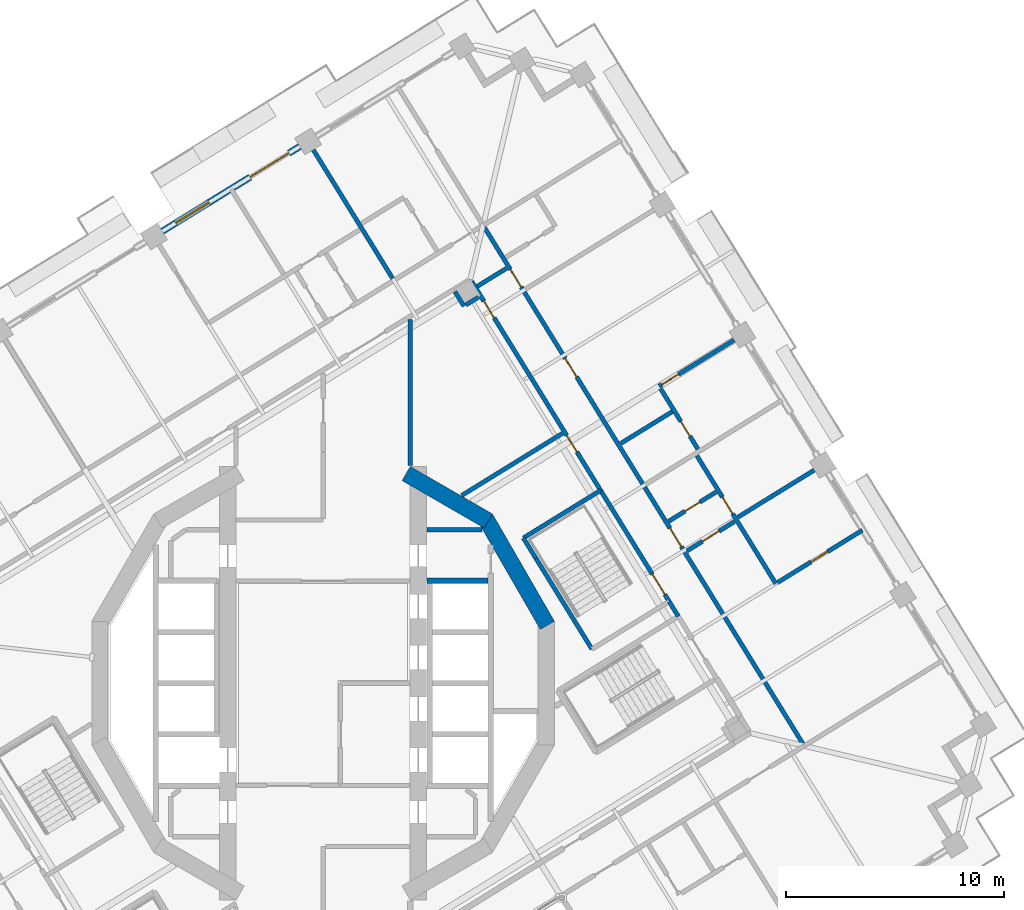
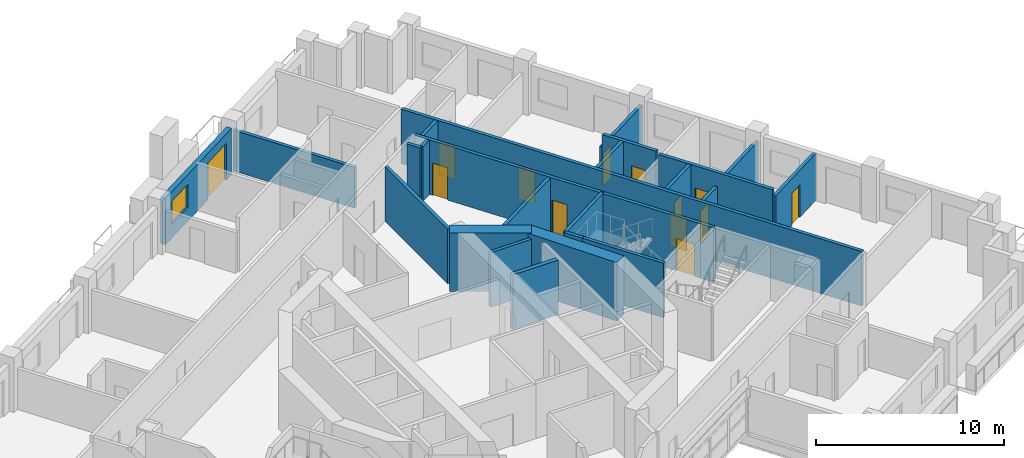
# One storey, part 13 of 22: 26 walls, 13 doors, 1 window, 14 openings.
"""IFC4 building model written with IfcOpenShell, lengths in metres."""

from ifc_helpers import new_model, si_unit, direction, frame, frame_2d, origin, place, context, subcontext, project, spatial, rectangle, extrude, material, layer, layer_set, type_object, element, fill, save


model = new_model("IFC4")

# Units and contexts
model_context = context("Model", 3, precision=1e-05, world=origin(), true_north=direction((0.0, 1.0)))
body_context = subcontext(model_context, "Body", "Model", "MODEL_VIEW")
ifc_project = project(units=[si_unit("LENGTHUNIT", "METRE"), si_unit("AREAUNIT", "SQUARE_METRE"), si_unit("VOLUMEUNIT", "CUBIC_METRE"), si_unit("PLANEANGLEUNIT", "RADIAN"), si_unit("MASSUNIT", "GRAM", prefix="KILO")], contexts=[model_context])

# Site, building, storey
site_placement = place(None, origin())
site = spatial("IfcSite", under=ifc_project, at=site_placement, CompositionType="ELEMENT")
building_placement = place(site_placement, origin())
building = spatial("IfcBuilding", under=site, at=building_placement, Name="Cantera Rosa Tower", CompositionType="ELEMENT")
storey_placement = place(building_placement, frame((0.0, 0.0, 174.199951171875)))
storey = spatial("IfcBuildingStorey", under=building, at=storey_placement, Name="L38", CompositionType="ELEMENT", Elevation=174.199951171875)

# Walls
ifc_material_1 = material(Name="Gypsum board partition")
ifc_layer_1 = layer(ifc_material_1, 0.199951171875)
ifc_layer_set_1 = layer_set([ifc_layer_1], Name="CORRIDOR WALL 200 H3550")
wall_type_1 = type_object("IfcWallType", Name="CORRIDOR WALL 200 H3550", PredefinedType="PARTITIONING", material=ifc_layer_set_1)
wall_1_placement = place(storey_placement, frame((4.0, 9.994140625, 0.0), z_axis=(0.0, 0.0, 1.0), x_axis=(0.0, 1.0, 0.0)))
element("IfcWall", 1, at=wall_1_placement, inside=storey, type_object=wall_type_1, Name="CORRIDOR WALL L38-078", PredefinedType="PARTITIONING", context=body_context, shape_type="SweptSolid", body=[
    extrude(rectangle(XDim=6.7060546875, YDim=0.199951171875, at=frame_2d((3.35302734375, 0.0))), origin(), (0.0, 0.0, 1.0), 3.550048828125),
])
wall_2_placement = place(storey_placement, frame((7.08154296875, 18.234619140625, 0.0), z_axis=(0.0, 0.0, 1.0), x_axis=(0.8511858258, 0.524864449127, 0.0)))
element("IfcWall", 2, at=wall_2_placement, inside=storey, type_object=wall_type_1, Name="CORRIDOR WALL L38-089", PredefinedType="PARTITIONING", context=body_context, shape_type="SweptSolid", body=[
    extrude(rectangle(XDim=1.580078125, YDim=0.199951171875, at=frame_2d((0.7900390625, 0.0))), origin(), (0.0, 0.0, 1.0), 3.550048828125),
])

# Wall, openings, doors
wall_3_placement = place(storey_placement, frame((12.74560546875, 8.861328125, 0.0), z_axis=(0.0, 0.0, 1.0), x_axis=(-0.524983574612, 0.851112358263, 0.0)))
wall_3 = element("IfcWall", 3, at=wall_3_placement, inside=storey, type_object=wall_type_1, Name="CORRIDOR WALL L38-107", PredefinedType="PARTITIONING", context=body_context, shape_type="SweptSolid", body=[
    extrude(rectangle(XDim=11.279296875, YDim=0.199951171875, at=frame_2d((5.6396484375, 0.0))), origin(), (0.0, 0.0, 1.0), 3.550048828125),
])
opening_1_placement = place(wall_3_placement, frame((9.314208984375, 0.0, 0.0)))
opening_1 = element("IfcOpeningElement", 4, at=opening_1_placement, cuts=wall_3, Name="Opening L38-005", PredefinedType="OPENING", context=body_context, shape_type="SweptSolid", body=[
    extrude(rectangle(XDim=0.89990234375, YDim=2.10009765625, at=frame_2d((0.449951171875, 1.050048828125))), frame((0.0, 0.10986328125, 0.0), z_axis=(0.0, -1.0, 0.0), x_axis=(1.0, 0.0, 0.0)), (0.0, 0.0, 1.0), 0.219970703125),
])
opening_2_placement = place(wall_3_placement, frame((2.0693359375, 0.0, 0.0)))
opening_2 = element("IfcOpeningElement", 5, at=opening_2_placement, cuts=wall_3, Name="Opening L38-010", PredefinedType="OPENING", context=body_context, shape_type="SweptSolid", body=[
    extrude(rectangle(XDim=0.89990234375, YDim=2.10009765625, at=frame_2d((0.449951171875, 1.050048828125))), frame((0.0, 0.10986328125, 0.0), z_axis=(0.0, -1.0, 0.0), x_axis=(1.0, 0.0, 0.0)), (0.0, 0.0, 1.0), 0.219970703125),
])
ifc_material_2 = material(Name="Timber door leaf", Category="wood")
door_type_1 = type_object("IfcDoorType", Name="SERVICE DOOR 900x2100", OperationType="NOTDEFINED", PredefinedType="DOOR", material=ifc_material_2)
door_1_placement = place(opening_1_placement, origin())
door_1 = element("IfcDoor", 6, at=door_1_placement, inside=storey, type_object=door_type_1, Name="DOOR L38-005", OperationType="NOTDEFINED", OverallHeight=2.10009765625, OverallWidth=0.89990234375, PredefinedType="DOOR", context=body_context, shape_type="SweptSolid", body=[
    extrude(rectangle(XDim=0.89990234375, YDim=2.10009765625, at=frame_2d((0.449951171875, 1.050048828125))), frame((0.0, 0.02490234375, 0.0), z_axis=(0.0, -1.0, 0.0), x_axis=(1.0, 0.0, 0.0)), (0.0, 0.0, 1.0), 0.050048828125),
])
fill(opening_1, door_1)
door_2_placement = place(opening_2_placement, origin())
door_2 = element("IfcDoor", 7, at=door_2_placement, inside=storey, type_object=door_type_1, Name="DOOR L38-010", OperationType="NOTDEFINED", OverallHeight=2.10009765625, OverallWidth=0.89990234375, PredefinedType="DOOR", context=body_context, shape_type="SweptSolid", body=[
    extrude(rectangle(XDim=0.89990234375, YDim=2.10009765625, at=frame_2d((0.449951171875, 1.050048828125))), frame((0.0, 0.02490234375, 0.0), z_axis=(0.0, -1.0, 0.0), x_axis=(1.0, 0.0, 0.0)), (0.0, 0.0, 1.0), 0.050048828125),
])
fill(opening_2, door_2)

# Wall
wall_4_placement = place(storey_placement, frame((16.31591796875, 3.072998046875, 0.0), z_axis=(0.0, 0.0, 1.0), x_axis=(-0.524947597637, 0.85113454855, 0.0)))
element("IfcWall", 8, at=wall_4_placement, inside=storey, type_object=wall_type_1, Name="CORRIDOR WALL L38-115", PredefinedType="PARTITIONING", context=body_context, shape_type="SweptSolid", body=[
    extrude(rectangle(XDim=0.80078125, YDim=0.199951171875, at=frame_2d((0.400390625, 0.0))), origin(), (0.0, 0.0, 1.0), 3.550048828125),
])

# Wall, openings, doors
wall_5_placement = place(storey_placement, frame((22.037109375, -2.77392578125, 0.0), z_axis=(0.0, 0.0, 1.0), x_axis=(-0.524972822247, 0.851118990448, 0.0)))
wall_5 = element("IfcWall", 9, at=wall_5_placement, inside=storey, type_object=wall_type_1, Name="CORRIDOR WALL L38-130", PredefinedType="PARTITIONING", context=body_context, shape_type="SweptSolid", body=[
    extrude(rectangle(XDim=27.85986328125, YDim=0.199951171875, at=frame_2d((13.929931640625, 0.0))), origin(), (0.0, 0.0, 1.0), 3.550048828125),
])
opening_3_placement = place(wall_5_placement, frame((10.6298828125, 0.0, 0.0)))
opening_3 = element("IfcOpeningElement", 10, at=opening_3_placement, cuts=wall_5, Name="Opening L38-022", PredefinedType="OPENING", context=body_context, shape_type="SweptSolid", body=[
    extrude(rectangle(XDim=1.0, YDim=2.10009765625, at=frame_2d((0.5, 1.050048828125))), frame((0.0, 0.10986328125, 0.0), z_axis=(0.0, -1.0, 0.0), x_axis=(1.0, 0.0, 0.0)), (0.0, 0.0, 1.0), 0.219970703125),
])
opening_4_placement = place(wall_5_placement, frame((19.794921875, 0.0, 0.0)))
opening_4 = element("IfcOpeningElement", 11, at=opening_4_placement, cuts=wall_5, Name="Opening L38-027", PredefinedType="OPENING", context=body_context, shape_type="SweptSolid", body=[
    extrude(rectangle(XDim=1.0, YDim=2.10009765625, at=frame_2d((0.5, 1.050048828125))), frame((0.0, 0.10986328125, 0.0), z_axis=(0.0, -1.0, 0.0), x_axis=(1.0, 0.0, 0.0)), (0.0, 0.0, 1.0), 0.219970703125),
])
opening_5_placement = place(wall_5_placement, frame((24.652099609375, 0.0, 0.0)))
opening_5 = element("IfcOpeningElement", 12, at=opening_5_placement, cuts=wall_5, Name="Opening L38-030", PredefinedType="OPENING", context=body_context, shape_type="SweptSolid", body=[
    extrude(rectangle(XDim=0.949951171875, YDim=2.10009765625, at=frame_2d((0.47509765625, 1.050048828125))), frame((0.0, 0.10986328125, 0.0), z_axis=(0.0, -1.0, 0.0), x_axis=(1.0, 0.0, 0.0)), (0.0, 0.0, 1.0), 0.219970703125),
])
ifc_material_3 = material(Name="Timber door leaf", Category="wood")
door_type_2 = type_object("IfcDoorType", Name="ENTRANCE DOOR 1000x2100", OperationType="NOTDEFINED", PredefinedType="DOOR", material=ifc_material_3)
door_3_placement = place(opening_3_placement, origin())
door_3 = element("IfcDoor", 13, at=door_3_placement, inside=storey, type_object=door_type_2, Name="DOOR L38-022", OperationType="NOTDEFINED", OverallHeight=2.10009765625, OverallWidth=1.0, PredefinedType="DOOR", context=body_context, shape_type="SweptSolid", body=[
    extrude(rectangle(XDim=1.0, YDim=2.10009765625, at=frame_2d((0.5, 1.050048828125))), frame((0.0, 0.02490234375, 0.0), z_axis=(0.0, -1.0, 0.0), x_axis=(1.0, 0.0, 0.0)), (0.0, 0.0, 1.0), 0.050048828125),
])
fill(opening_3, door_3)
door_4_placement = place(opening_4_placement, origin())
door_4 = element("IfcDoor", 14, at=door_4_placement, inside=storey, type_object=door_type_2, Name="DOOR L38-027", OperationType="NOTDEFINED", OverallHeight=2.10009765625, OverallWidth=1.0, PredefinedType="DOOR", context=body_context, shape_type="SweptSolid", body=[
    extrude(rectangle(XDim=1.0, YDim=2.10009765625, at=frame_2d((0.5, 1.050048828125))), frame((0.0, 0.02490234375, 0.0), z_axis=(0.0, -1.0, 0.0), x_axis=(1.0, 0.0, 0.0)), (0.0, 0.0, 1.0), 0.050048828125),
])
fill(opening_4, door_4)
ifc_material_4 = material(Name="Timber door leaf", Category="wood")
door_type_3 = type_object("IfcDoorType", Name="ROOM DOOR 950x2100", OperationType="NOTDEFINED", PredefinedType="DOOR", material=ifc_material_4)
door_5_placement = place(opening_5_placement, origin())
door_5 = element("IfcDoor", 15, at=door_5_placement, inside=storey, type_object=door_type_3, Name="DOOR L38-030", OperationType="NOTDEFINED", OverallHeight=2.10009765625, OverallWidth=0.949951171875, PredefinedType="DOOR", context=body_context, shape_type="SweptSolid", body=[
    extrude(rectangle(XDim=0.949951171875, YDim=2.10009765625, at=frame_2d((0.47509765625, 1.050048828125))), frame((0.0, 0.02490234375, 0.0), z_axis=(0.0, -1.0, 0.0), x_axis=(1.0, 0.0, 0.0)), (0.0, 0.0, 1.0), 0.050048828125),
])
fill(opening_5, door_5)

# Wall, openings, window, door
ifc_material_5 = material(Name="Hollow clay masonry with cantera stone cladding", Category="masonry")
ifc_layer_2 = layer(ifc_material_5, 0.300048828125)
ifc_layer_set_2 = layer_set([ifc_layer_2], Name="EW-LOGGIA 300 H3020")
wall_type_2 = type_object("IfcWallType", Name="EW-LOGGIA 300 H3020", PredefinedType="SOLIDWALL", material=ifc_layer_set_2)
wall_6_placement = place(storey_placement, frame((-1.07421875, 24.656982421875, 0.0), z_axis=(0.0, 0.0, 1.0), x_axis=(-0.85112578684, -0.524961803349, 0.0)))
wall_6 = element("IfcWall", 16, at=wall_6_placement, inside=storey, type_object=wall_type_2, Name="EN-L38-W09", PredefinedType="SOLIDWALL", context=body_context, shape_type="SweptSolid", body=[
    extrude(rectangle(XDim=7.420166015625, YDim=0.300048828125, at=frame_2d((3.7099609375, 0.0))), origin(), (0.0, 0.0, 1.0), 3.02001953125),
])
opening_6_placement = place(wall_6_placement, frame((0.580078125, 0.0, 0.0)))
opening_6 = element("IfcOpeningElement", 17, at=opening_6_placement, cuts=wall_6, Name="Opening L38-TD13", PredefinedType="OPENING", context=body_context, shape_type="SweptSolid", body=[
    extrude(rectangle(XDim=2.10009765625, YDim=2.39990234375, at=frame_2d((1.050048828125, 1.199951171875))), frame((0.0, 0.159912109375, 0.0), z_axis=(0.0, -1.0, 0.0), x_axis=(1.0, 0.0, 0.0)), (0.0, 0.0, 1.0), 0.320068359375),
])
opening_7_placement = place(wall_6_placement, frame((4.889892578125, 0.0, 0.89990234375)))
opening_7 = element("IfcOpeningElement", 18, at=opening_7_placement, cuts=wall_6, Name="Opening L38-W14", PredefinedType="OPENING", context=body_context, shape_type="SweptSolid", body=[
    extrude(rectangle(XDim=1.800048828125, YDim=1.5, at=frame_2d((0.89990234375, 0.75))), frame((0.0, 0.159912109375, 0.0), z_axis=(0.0, -1.0, 0.0), x_axis=(1.0, 0.0, 0.0)), (0.0, 0.0, 1.0), 0.320068359375),
])
ifc_material_6 = material(Name="Aluminium frame with clear glass", Category="aluminium")
window_type = type_object("IfcWindowType", Name="Hotel room window 1800x1500", PartitioningType="DOUBLE_PANEL_VERTICAL", PredefinedType="WINDOW", material=ifc_material_6)
window_placement = place(opening_7_placement, origin())
window = element("IfcWindow", 19, at=window_placement, inside=storey, type_object=window_type, Name="WINDOW L38-W14", OverallHeight=1.5, OverallWidth=1.800048828125, PartitioningType="SINGLE_PANEL", PredefinedType="WINDOW", context=body_context, shape_type="SweptSolid", body=[
    extrude(rectangle(XDim=1.800048828125, YDim=1.5, at=frame_2d((0.89990234375, 0.75))), frame((0.0, 0.030029296875, 0.0), z_axis=(0.0, -1.0, 0.0), x_axis=(1.0, 0.0, 0.0)), (0.0, 0.0, 1.0), 0.06005859375),
])
fill(opening_7, window)
ifc_material_7 = material(Name="Aluminium frame with clear glass", Category="aluminium")
door_type_4 = type_object("IfcDoorType", Name="TD-H 2100x2400", OperationType="NOTDEFINED", PredefinedType="DOOR", material=ifc_material_7)
door_6_placement = place(opening_6_placement, origin())
door_6 = element("IfcDoor", 20, at=door_6_placement, inside=storey, type_object=door_type_4, Name="LOGGIA DOOR L38-TD13", OperationType="SLIDING_TO_LEFT", OverallHeight=2.39990234375, OverallWidth=2.10009765625, PredefinedType="DOOR", context=body_context, shape_type="SweptSolid", body=[
    extrude(rectangle(XDim=2.10009765625, YDim=2.39990234375, at=frame_2d((1.050048828125, 1.199951171875))), frame((0.0, 0.02490234375, 0.0), z_axis=(0.0, -1.0, 0.0), x_axis=(1.0, 0.0, 0.0)), (0.0, 0.0, 1.0), 0.050048828125),
])
fill(opening_6, door_6)

# Wall, opening, door
ifc_material_8 = material(Name="Gypsum board partition")
ifc_layer_3 = layer(ifc_material_8, 0.199951171875)
ifc_layer_set_3 = layer_set([ifc_layer_3], Name="PARTITION 200 H2650")
wall_type_3 = type_object("IfcWallType", Name="PARTITION 200 H2650", PredefinedType="PARTITIONING", material=ifc_layer_set_3)
wall_7_placement = place(storey_placement, frame((15.43505859375, 13.644287109375, 0.0), z_axis=(0.0, 0.0, 1.0), x_axis=(0.85108586201, 0.525026528364, 0.0)))
wall_7 = element("IfcWall", 21, at=wall_7_placement, inside=storey, type_object=wall_type_3, Name="PARTITION L38-112", PredefinedType="PARTITIONING", context=body_context, shape_type="SweptSolid", body=[
    extrude(rectangle(XDim=4.47021484375, YDim=0.199951171875, at=frame_2d((2.235107421875, 0.0))), origin(), (0.0, 0.0, 1.0), 2.650146484375),
])
opening_8_placement = place(wall_7_placement, frame((0.14990234375, 0.0, 0.0)))
opening_8 = element("IfcOpeningElement", 22, at=opening_8_placement, cuts=wall_7, Name="Opening L38-028", PredefinedType="OPENING", context=body_context, shape_type="SweptSolid", body=[
    extrude(rectangle(XDim=0.89990234375, YDim=2.10009765625, at=frame_2d((0.449951171875, 1.050048828125))), frame((0.0, 0.10986328125, 0.0), z_axis=(0.0, -1.0, 0.0), x_axis=(1.0, 0.0, 0.0)), (0.0, 0.0, 1.0), 0.219970703125),
])
ifc_material_9 = material(Name="Timber door leaf", Category="wood")
door_type_5 = type_object("IfcDoorType", Name="ROOM DOOR 900x2100", OperationType="NOTDEFINED", PredefinedType="DOOR", material=ifc_material_9)
door_7_placement = place(opening_8_placement, origin())
door_7 = element("IfcDoor", 23, at=door_7_placement, inside=storey, type_object=door_type_5, Name="DOOR L38-028", OperationType="NOTDEFINED", OverallHeight=2.10009765625, OverallWidth=0.89990234375, PredefinedType="DOOR", context=body_context, shape_type="SweptSolid", body=[
    extrude(rectangle(XDim=0.89990234375, YDim=2.10009765625, at=frame_2d((0.449951171875, 1.050048828125))), frame((0.0, 0.02490234375, 0.0), z_axis=(0.0, -1.0, 0.0), x_axis=(1.0, 0.0, 0.0)), (0.0, 0.0, 1.0), 0.050048828125),
])
fill(opening_8, door_7)

wall_8_placement = place(storey_placement, frame((18.895263671875, 7.425048828125, 0.0), z_axis=(0.0, 0.0, 1.0), x_axis=(-0.851117608509, -0.524975062727, 0.0)))
wall_8 = element("IfcWall", 24, at=wall_8_placement, inside=storey, type_object=wall_type_3, Name="PARTITION L38-125", PredefinedType="PARTITIONING", context=body_context, shape_type="SweptSolid", body=[
    extrude(rectangle(XDim=2.56005859375, YDim=0.199951171875, at=frame_2d((1.280029296875, 0.0))), origin(), (0.0, 0.0, 1.0), 2.650146484375),
])
opening_9_placement = place(wall_8_placement, frame((0.830078125, 0.0, 0.0)))
opening_9 = element("IfcOpeningElement", 25, at=opening_9_placement, cuts=wall_8, Name="Opening L38-024", PredefinedType="OPENING", context=body_context, shape_type="SweptSolid", body=[
    extrude(rectangle(XDim=0.89990234375, YDim=2.10009765625, at=frame_2d((0.449951171875, 1.050048828125))), frame((0.0, 0.10986328125, 0.0), z_axis=(0.0, -1.0, 0.0), x_axis=(1.0, 0.0, 0.0)), (0.0, 0.0, 1.0), 0.219970703125),
])
door_8_placement = place(opening_9_placement, origin())
door_8 = element("IfcDoor", 26, at=door_8_placement, inside=storey, type_object=door_type_5, Name="DOOR L38-024", OperationType="NOTDEFINED", OverallHeight=2.10009765625, OverallWidth=0.89990234375, PredefinedType="DOOR", context=body_context, shape_type="SweptSolid", body=[
    extrude(rectangle(XDim=0.89990234375, YDim=2.10009765625, at=frame_2d((0.449951171875, 1.050048828125))), frame((0.0, 0.02490234375, 0.0), z_axis=(0.0, -1.0, 0.0), x_axis=(1.0, 0.0, 0.0)), (0.0, 0.0, 1.0), 0.050048828125),
])
fill(opening_9, door_8)

# Wall
wall_9_placement = place(storey_placement, frame((22.9248046875, 10.016357421875, 0.0), z_axis=(0.0, 0.0, 1.0), x_axis=(-0.851112531426, -0.524983293877, 0.0)))
element("IfcWall", 27, at=wall_9_placement, inside=storey, type_object=wall_type_3, Name="PARTITION L38-131", PredefinedType="PARTITIONING", context=body_context, shape_type="SweptSolid", body=[
    extrude(rectangle(XDim=4.550048828125, YDim=0.199951171875, at=frame_2d((2.27490234375, 0.0))), origin(), (0.0, 0.0, 1.0), 2.650146484375),
])

# Wall, opening, door
ifc_material_10 = material(Name="Gypsum board partition")
ifc_layer_4 = layer(ifc_material_10, 0.199951171875)
ifc_layer_set_4 = layer_set([ifc_layer_4], Name="PARTITION 200 H3050")
wall_type_4 = type_object("IfcWallType", Name="PARTITION 200 H3050", PredefinedType="PARTITIONING", material=ifc_layer_set_4)
wall_10_placement = place(storey_placement, frame((24.767578125, 7.02880859375, 0.0), z_axis=(0.0, 0.0, 1.0), x_axis=(-0.851116766048, -0.524976428568, 0.0)))
wall_10 = element("IfcWall", 28, at=wall_10_placement, inside=storey, type_object=wall_type_4, Name="PARTITION L38-132", PredefinedType="PARTITIONING", context=body_context, shape_type="SweptSolid", body=[
    extrude(rectangle(XDim=4.570068359375, YDim=0.199951171875, at=frame_2d((2.28515625, 0.0))), origin(), (0.0, 0.0, 1.0), 3.050048828125),
])
opening_10_placement = place(wall_10_placement, frame((1.8701171875, 0.0, 0.0)))
opening_10 = element("IfcOpeningElement", 29, at=opening_10_placement, cuts=wall_10, Name="Opening L38-026", PredefinedType="OPENING", context=body_context, shape_type="SweptSolid", body=[
    extrude(rectangle(XDim=0.89990234375, YDim=2.10009765625, at=frame_2d((0.449951171875, 1.050048828125))), frame((0.0, 0.10986328125, 0.0), z_axis=(0.0, -1.0, 0.0), x_axis=(1.0, 0.0, 0.0)), (0.0, 0.0, 1.0), 0.219970703125),
])
door_9_placement = place(opening_10_placement, origin())
door_9 = element("IfcDoor", 30, at=door_9_placement, inside=storey, type_object=door_type_5, Name="DOOR L38-026", OperationType="NOTDEFINED", OverallHeight=2.10009765625, OverallWidth=0.89990234375, PredefinedType="DOOR", context=body_context, shape_type="SweptSolid", body=[
    extrude(rectangle(XDim=0.89990234375, YDim=2.10009765625, at=frame_2d((0.449951171875, 1.050048828125))), frame((0.0, 0.02490234375, 0.0), z_axis=(0.0, -1.0, 0.0), x_axis=(1.0, 0.0, 0.0)), (0.0, 0.0, 1.0), 0.050048828125),
])
fill(opening_10, door_9)

# Walls
ifc_material_11 = material(Name="Gypsum board partition")
ifc_layer_5 = layer(ifc_material_11, 0.199951171875)
ifc_layer_set_5 = layer_set([ifc_layer_5], Name="PARTITION 200 H3550")
wall_type_5 = type_object("IfcWallType", Name="PARTITION 200 H3550", PredefinedType="PARTITIONING", material=ifc_layer_set_5)
wall_11_placement = place(storey_placement, frame((4.780029296875, 7.050048828125, 0.0), z_axis=(0.0, 0.0, 1.0), x_axis=(1.0, 0.0, 0.0)))
element("IfcWall", 31, at=wall_11_placement, inside=storey, type_object=wall_type_5, Name="PARTITION L38-081", PredefinedType="PARTITIONING", context=body_context, shape_type="SweptSolid", body=[
    extrude(rectangle(XDim=2.517822265625, YDim=0.199951171875, at=frame_2d((1.2587890625, 0.0))), origin(), (0.0, 0.0, 1.0), 3.550048828125),
])
wall_12_placement = place(storey_placement, frame((6.058349609375, 17.98876953125, 0.0), z_axis=(0.0, 0.0, 1.0), x_axis=(0.524813124932, -0.851217471566, 0.0)))
element("IfcWall", 32, at=wall_12_placement, inside=storey, type_object=wall_type_5, Name="PARTITION L38-083", PredefinedType="PARTITIONING", context=body_context, shape_type="SweptSolid", body=[
    extrude(rectangle(XDim=0.780029296875, YDim=0.199951171875, at=frame_2d((0.39013671875, 0.0))), origin(), (0.0, 0.0, 1.0), 3.550048828125),
])
wall_13_placement = place(storey_placement, frame((6.552978515625, 17.377197265625, 0.0), z_axis=(0.0, 0.0, 1.0), x_axis=(0.850930166337, 0.525278832638, 0.0)))
element("IfcWall", 33, at=wall_13_placement, inside=storey, type_object=wall_type_5, Name="PARTITION L38-085", PredefinedType="PARTITIONING", context=body_context, shape_type="SweptSolid", body=[
    extrude(rectangle(XDim=0.679931640625, YDim=0.199951171875, at=frame_2d((0.33984375, 0.0))), origin(), (0.0, 0.0, 1.0), 3.550048828125),
])
wall_14_placement = place(storey_placement, frame((10.990234375, 11.478515625, 0.0), z_axis=(0.0, 0.0, 1.0), x_axis=(-0.851122334173, -0.524967401152, 0.0)))
element("IfcWall", 34, at=wall_14_placement, inside=storey, type_object=wall_type_5, Name="PARTITION L38-104", PredefinedType="PARTITIONING", context=body_context, shape_type="SweptSolid", body=[
    extrude(rectangle(XDim=5.431396484375, YDim=0.199951171875, at=frame_2d((2.7158203125, 0.0))), origin(), (0.0, 0.0, 1.0), 3.550048828125),
])
wall_15_placement = place(storey_placement, frame((13.67138671875, 11.017578125, 0.0), z_axis=(0.0, 0.0, 1.0), x_axis=(0.85112116958, 0.524969289285, 0.0)))
element("IfcWall", 35, at=wall_15_placement, inside=storey, type_object=wall_type_5, Name="PARTITION L38-109", PredefinedType="PARTITIONING", context=body_context, shape_type="SweptSolid", body=[
    extrude(rectangle(XDim=2.780029296875, YDim=0.199951171875, at=frame_2d((1.39013671875, 0.0))), origin(), (0.0, 0.0, 1.0), 3.550048828125),
])

# Wall, opening, door
wall_16_placement = place(storey_placement, frame((17.17041015625, 10.449951171875, 0.0), z_axis=(0.0, 0.0, 1.0), x_axis=(0.524967739563, -0.851122125443, 0.0)))
wall_16 = element("IfcWall", 36, at=wall_16_placement, inside=storey, type_object=wall_type_5, Name="PARTITION L38-117", PredefinedType="PARTITIONING", context=body_context, shape_type="SweptSolid", body=[
    extrude(rectangle(XDim=6.900146484375, YDim=0.199951171875, at=frame_2d((3.4501953125, 0.0))), origin(), (0.0, 0.0, 1.0), 3.550048828125),
])
opening_11_placement = place(wall_16_placement, frame((2.22998046875, 0.0, 0.0)))
opening_11 = element("IfcOpeningElement", 37, at=opening_11_placement, cuts=wall_16, Name="Opening L38-025", PredefinedType="OPENING", context=body_context, shape_type="SweptSolid", body=[
    extrude(rectangle(XDim=0.89990234375, YDim=2.10009765625, at=frame_2d((0.449951171875, 1.050048828125))), frame((0.0, 0.10986328125, 0.0), z_axis=(0.0, -1.0, 0.0), x_axis=(1.0, 0.0, 0.0)), (0.0, 0.0, 1.0), 0.219970703125),
])
door_10_placement = place(opening_11_placement, origin())
door_10 = element("IfcDoor", 38, at=door_10_placement, inside=storey, type_object=door_type_5, Name="DOOR L38-025", OperationType="NOTDEFINED", OverallHeight=2.10009765625, OverallWidth=0.89990234375, PredefinedType="DOOR", context=body_context, shape_type="SweptSolid", body=[
    extrude(rectangle(XDim=0.89990234375, YDim=2.10009765625, at=frame_2d((0.449951171875, 1.050048828125))), frame((0.0, 0.02490234375, 0.0), z_axis=(0.0, -1.0, 0.0), x_axis=(1.0, 0.0, 0.0)), (0.0, 0.0, 1.0), 0.050048828125),
])
fill(opening_11, door_10)

wall_17_placement = place(storey_placement, frame((17.214599609375, 10.75927734375, 0.0), z_axis=(0.0, 0.0, 1.0), x_axis=(-0.524976153579, 0.851116935663, 0.0)))
wall_17 = element("IfcWall", 39, at=wall_17_placement, inside=storey, type_object=wall_type_5, Name="PARTITION L38-118", PredefinedType="PARTITIONING", context=body_context, shape_type="SweptSolid", body=[
    extrude(rectangle(XDim=3.269775390625, YDim=0.199951171875, at=frame_2d((1.634765625, 0.0))), origin(), (0.0, 0.0, 1.0), 3.550048828125),
])
opening_12_placement = place(wall_17_placement, frame((0.68994140625, 0.0, 0.0)))
opening_12 = element("IfcOpeningElement", 40, at=opening_12_placement, cuts=wall_17, Name="Opening L38-029", PredefinedType="OPENING", context=body_context, shape_type="SweptSolid", body=[
    extrude(rectangle(XDim=0.800048828125, YDim=2.10009765625, at=frame_2d((0.39990234375, 1.050048828125))), frame((0.0, 0.10986328125, 0.0), z_axis=(0.0, -1.0, 0.0), x_axis=(1.0, 0.0, 0.0)), (0.0, 0.0, 1.0), 0.219970703125),
])
ifc_material_12 = material(Name="Timber door leaf", Category="wood")
door_type_6 = type_object("IfcDoorType", Name="BATHROOM DOOR 800x2100", OperationType="NOTDEFINED", PredefinedType="DOOR", material=ifc_material_12)
door_11_placement = place(opening_12_placement, origin())
door_11 = element("IfcDoor", 41, at=door_11_placement, inside=storey, type_object=door_type_6, Name="DOOR L38-029", OperationType="NOTDEFINED", OverallHeight=2.10009765625, OverallWidth=0.800048828125, PredefinedType="DOOR", context=body_context, shape_type="SweptSolid", body=[
    extrude(rectangle(XDim=0.800048828125, YDim=2.10009765625, at=frame_2d((0.39990234375, 1.050048828125))), frame((0.0, 0.02490234375, 0.0), z_axis=(0.0, -1.0, 0.0), x_axis=(1.0, 0.0, 0.0)), (0.0, 0.0, 1.0), 0.050048828125),
])
fill(opening_12, door_11)

wall_18_placement = place(storey_placement, frame((18.055419921875, 8.786865234375, 0.0), z_axis=(0.0, 0.0, 1.0), x_axis=(-0.851117608509, -0.524975062727, 0.0)))
wall_18 = element("IfcWall", 42, at=wall_18_placement, inside=storey, type_object=wall_type_5, Name="PARTITION L38-122", PredefinedType="PARTITIONING", context=body_context, shape_type="SweptSolid", body=[
    extrude(rectangle(XDim=2.56005859375, YDim=0.199951171875, at=frame_2d((1.280029296875, 0.0))), origin(), (0.0, 0.0, 1.0), 3.550048828125),
])
opening_13_placement = place(wall_18_placement, frame((0.8798828125, 0.0, 0.0)))
opening_13 = element("IfcOpeningElement", 43, at=opening_13_placement, cuts=wall_18, Name="Opening L38-023", PredefinedType="OPENING", context=body_context, shape_type="SweptSolid", body=[
    extrude(rectangle(XDim=0.800048828125, YDim=2.10009765625, at=frame_2d((0.39990234375, 1.050048828125))), frame((0.0, 0.10986328125, 0.0), z_axis=(0.0, -1.0, 0.0), x_axis=(1.0, 0.0, 0.0)), (0.0, 0.0, 1.0), 0.219970703125),
])
door_12_placement = place(opening_13_placement, origin())
door_12 = element("IfcDoor", 44, at=door_12_placement, inside=storey, type_object=door_type_6, Name="DOOR L38-023", OperationType="NOTDEFINED", OverallHeight=2.10009765625, OverallWidth=0.800048828125, PredefinedType="DOOR", context=body_context, shape_type="SweptSolid", body=[
    extrude(rectangle(XDim=0.800048828125, YDim=2.10009765625, at=frame_2d((0.39990234375, 1.050048828125))), frame((0.0, 0.02490234375, 0.0), z_axis=(0.0, -1.0, 0.0), x_axis=(1.0, 0.0, 0.0)), (0.0, 0.0, 1.0), 0.050048828125),
])
fill(opening_13, door_12)

# Walls
ifc_material_13 = material(Name="Gypsum board partition")
ifc_layer_6 = layer(ifc_material_13, 0.199951171875)
ifc_layer_set_6 = layer_set([ifc_layer_6], Name="PARTY WALL 200 H2650")
wall_type_6 = type_object("IfcWallType", Name="PARTY WALL 200 H2650", PredefinedType="PARTITIONING", material=ifc_layer_set_6)
wall_19_placement = place(storey_placement, frame((-0.675537109375, 24.86767578125, 0.0), z_axis=(0.0, 0.0, 1.0), x_axis=(0.52498429839, -0.851111911821, 0.0)))
element("IfcWall", 45, at=wall_19_placement, inside=storey, type_object=wall_type_6, Name="PARTY WALL L38-061", PredefinedType="PARTITIONING", context=body_context, shape_type="SweptSolid", body=[
    extrude(rectangle(XDim=7.3701171875, YDim=0.199951171875, at=frame_2d((3.68505859375, 0.0))), origin(), (0.0, 0.0, 1.0), 2.650146484375),
])
ifc_material_14 = material(Name="Concrete C60/75", Category="concrete")
ifc_layer_7 = layer(ifc_material_14, 0.75)
ifc_layer_set_7 = layer_set([ifc_layer_7], Name="RC CORE WALL 750 C60/75")
wall_type_7 = type_object("IfcWallType", Name="RC CORE WALL 750 C60/75", PredefinedType="SHEAR", material=ifc_layer_set_7)
wall_20_placement = place(storey_placement, frame((3.8125, 9.634765625, 0.0), z_axis=(0.0, 0.0, 1.0), x_axis=(0.866013176292, -0.50002117804, 0.0)))
element("IfcWall", 46, at=wall_20_placement, inside=storey, type_object=wall_type_7, Name="CW-E1 L38", PredefinedType="SHEAR", context=body_context, shape_type="SweptSolid", body=[
    extrude(rectangle(XDim=4.362548828125, YDim=0.75, at=frame_2d((2.18115234375, 0.0))), origin(), (0.0, 0.0, 1.0), 3.800048828125),
])
wall_21_placement = place(storey_placement, frame((7.453369140625, 7.590576171875, 0.0), z_axis=(0.0, 0.0, 1.0), x_axis=(0.500021842983, -0.866012792365, 0.0)))
element("IfcWall", 47, at=wall_21_placement, inside=storey, type_object=wall_type_7, Name="CW-E2 L38", PredefinedType="SHEAR", context=body_context, shape_type="SweptSolid", body=[
    extrude(rectangle(XDim=5.694091796875, YDim=0.75, at=frame_2d((2.84716796875, 0.0))), origin(), (0.0, 0.0, 1.0), 3.800048828125),
])
ifc_material_15 = material(Name="Masonry blockwork", Category="masonry")
ifc_layer_8 = layer(ifc_material_15, 0.25)
ifc_layer_set_8 = layer_set([ifc_layer_8], Name="SHAFT WALL 250 H3550")
wall_type_8 = type_object("IfcWallType", Name="SHAFT WALL 250 H3550", PredefinedType="SOLIDWALL", material=ifc_layer_set_8)
wall_22_placement = place(storey_placement, frame((4.780029296875, 4.699951171875, 0.0), z_axis=(0.0, 0.0, 1.0), x_axis=(1.0, 0.0, 0.0)))
element("IfcWall", 48, at=wall_22_placement, inside=storey, type_object=wall_type_8, Name="SHAFT WALL L38-080", PredefinedType="SOLIDWALL", context=body_context, shape_type="SweptSolid", body=[
    extrude(rectangle(XDim=2.794921875, YDim=0.25, at=frame_2d((1.3974609375, 0.0))), origin(), (0.0, 0.0, 1.0), 3.550048828125),
])
ifc_material_16 = material(Name="Concrete C50/60", Category="concrete")
ifc_layer_9 = layer(ifc_material_16, 0.199951171875)
ifc_layer_set_9 = layer_set([ifc_layer_9], Name="STAIR WALL 200 H3550")
wall_type_9 = type_object("IfcWallType", Name="STAIR WALL 200 H3550", PredefinedType="SOLIDWALL", material=ifc_layer_set_9)
wall_23_placement = place(storey_placement, frame((9.199462890625, 6.674072265625, 0.0), z_axis=(0.0, 0.0, 1.0), x_axis=(0.524902102766, -0.851162606387, 0.0)))
element("IfcWall", 49, at=wall_23_placement, inside=storey, type_object=wall_type_9, Name="STAIR WALL L38-098", PredefinedType="SOLIDWALL", context=body_context, shape_type="SweptSolid", body=[
    extrude(rectangle(XDim=1.10009765625, YDim=0.199951171875, at=frame_2d((0.550048828125, 0.0))), origin(), (0.0, 0.0, 1.0), 3.550048828125),
])
wall_24_placement = place(storey_placement, frame((12.74560546875, 8.861328125, 0.0), z_axis=(0.0, 0.0, 1.0), x_axis=(-0.851120688733, -0.524970068871, 0.0)))
element("IfcWall", 50, at=wall_24_placement, inside=storey, type_object=wall_type_9, Name="STAIR WALL L38-108", PredefinedType="SOLIDWALL", context=body_context, shape_type="SweptSolid", body=[
    extrude(rectangle(XDim=4.16650390625, YDim=0.199951171875, at=frame_2d((2.083251953125, 0.0))), origin(), (0.0, 0.0, 1.0), 3.550048828125),
])

# Wall, opening, door
wall_25_placement = place(storey_placement, frame((15.8955078125, 3.754638671875, 0.0), z_axis=(0.0, 0.0, 1.0), x_axis=(-0.524982543144, 0.851112994493, 0.0)))
wall_25 = element("IfcWall", 51, at=wall_25_placement, inside=storey, type_object=wall_type_9, Name="STAIR WALL L38-113", PredefinedType="SOLIDWALL", context=body_context, shape_type="SweptSolid", body=[
    extrude(rectangle(XDim=6.0, YDim=0.199951171875, at=frame_2d((3.0, 0.0))), origin(), (0.0, 0.0, 1.0), 3.550048828125),
])
opening_14_placement = place(wall_25_placement, frame((0.375, 0.0, 0.0)))
opening_14 = element("IfcOpeningElement", 52, at=opening_14_placement, cuts=wall_25, Name="Opening L38-001", PredefinedType="OPENING", context=body_context, shape_type="SweptSolid", body=[
    extrude(rectangle(XDim=1.10009765625, YDim=2.10009765625, at=frame_2d((0.550048828125, 1.050048828125))), frame((0.0, 0.10986328125, 0.0), z_axis=(0.0, -1.0, 0.0), x_axis=(1.0, 0.0, 0.0)), (0.0, 0.0, 1.0), 0.219970703125),
])
ifc_material_17 = material(Name="Steel S355J2 (EN 10025-2)", Category="steel")
door_type_7 = type_object("IfcDoorType", Name="STAIR DOOR 1100x2100", OperationType="NOTDEFINED", PredefinedType="DOOR", material=ifc_material_17)
door_13_placement = place(opening_14_placement, origin())
door_13 = element("IfcDoor", 53, at=door_13_placement, inside=storey, type_object=door_type_7, Name="DOOR L38-001", OperationType="NOTDEFINED", OverallHeight=2.10009765625, OverallWidth=1.10009765625, PredefinedType="DOOR", context=body_context, shape_type="SweptSolid", body=[
    extrude(rectangle(XDim=1.10009765625, YDim=2.10009765625, at=frame_2d((0.550048828125, 1.050048828125))), frame((0.0, 0.02490234375, 0.0), z_axis=(0.0, -1.0, 0.0), x_axis=(1.0, 0.0, 0.0)), (0.0, 0.0, 1.0), 0.050048828125),
])
fill(opening_14, door_13)

# Wall
wall_26_placement = place(storey_placement, frame((9.77685546875, 5.73779296875, 0.0), z_axis=(0.0, 0.0, 1.0), x_axis=(0.525000600504, -0.851101856108, 0.0)))
element("IfcWall", 54, at=wall_26_placement, inside=storey, type_object=wall_type_9, Name="STAIR WALL L38-098 J", PredefinedType="SOLIDWALL", context=body_context, shape_type="SweptSolid", body=[
    extrude(rectangle(XDim=4.89990234375, YDim=0.199951171875, at=frame_2d((2.449951171875, 0.0))), origin(), (0.0, 0.0, 1.0), 3.550048828125),
])

save(model, "model.ifc")
